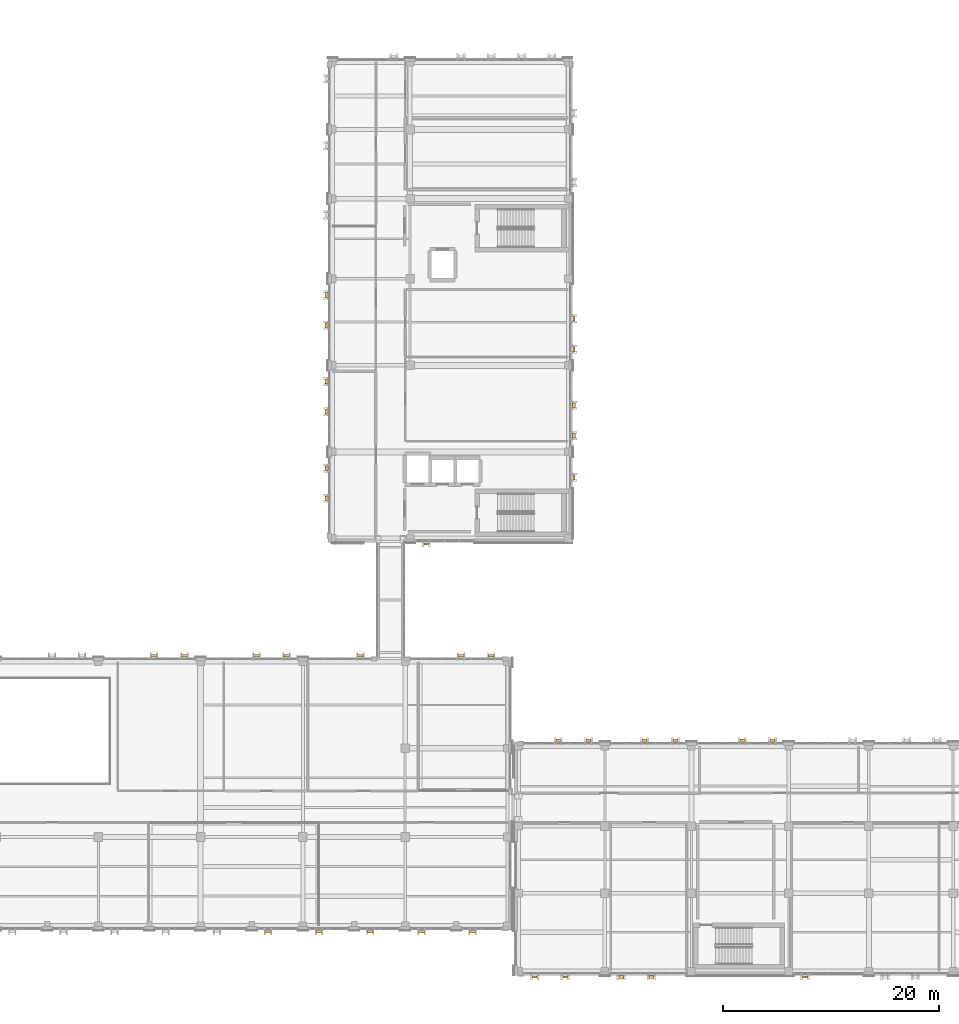
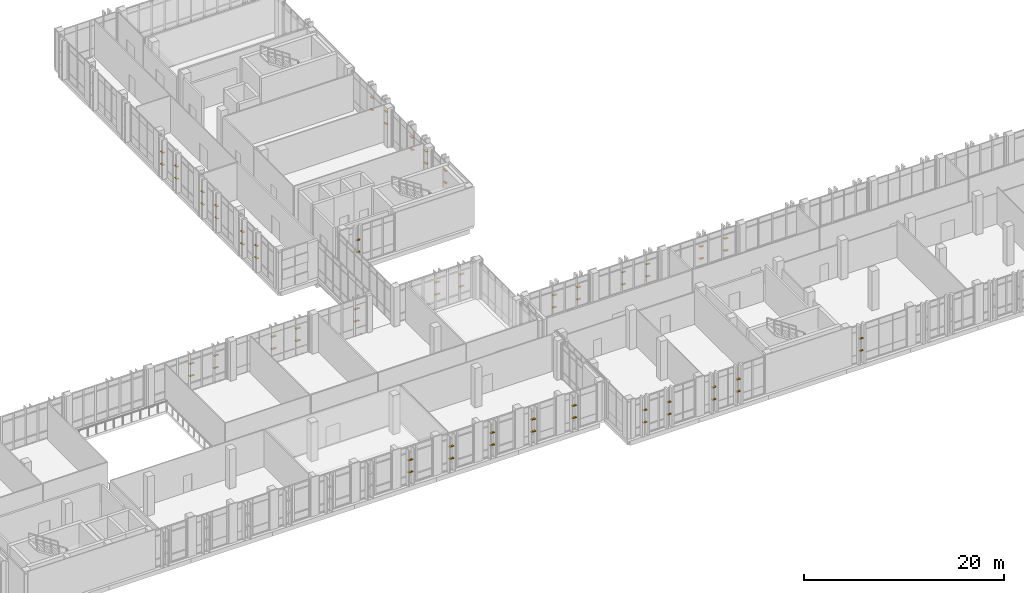
# One storey, part 186 of 189: 70 shading devices.
"""IFC4 building model written with IfcOpenShell, lengths in metres."""

from ifc_helpers import new_model, si_unit, direction, frame, origin, origin_2d, place, context, subcontext, project, spatial, rectangle, extrude, material, type_object, element, save


model = new_model("IFC4")

# Units and contexts
model_context = context("Model", 3, precision=1e-05, world=origin(), true_north=direction((0.0, 1.0)))
body_context = subcontext(model_context, "Body", "Model", "MODEL_VIEW")
ifc_project = project(units=[si_unit("LENGTHUNIT", "METRE"), si_unit("AREAUNIT", "SQUARE_METRE"), si_unit("VOLUMEUNIT", "CUBIC_METRE"), si_unit("PLANEANGLEUNIT", "RADIAN"), si_unit("MASSUNIT", "GRAM", prefix="KILO")], contexts=[model_context])

# Site, building, storey
site_placement = place(None, origin())
site = spatial("IfcSite", under=ifc_project, at=site_placement, CompositionType="ELEMENT")
building_placement = place(site_placement, origin())
building = spatial("IfcBuilding", under=site, at=building_placement, Name="Qalavern Law Courts", CompositionType="ELEMENT")
storey_placement = place(building_placement, frame((0.0, 0.0, 5.39990234375)))
storey = spatial("IfcBuildingStorey", under=building, at=storey_placement, Name="L01", CompositionType="ELEMENT", Elevation=5.39990234375)

# Shading devices
ifc_material = material(Name="Anodised aluminium", Category="aluminium")
shading_device_type_1 = type_object("IfcShadingDeviceType", Name="ENV-LOUV-1", PredefinedType="JALOUSIE", material=ifc_material)
for number, where, z_axis, x_axis, name in (
    (1, (78.6640625, 5.052490234375, 1.548583984375), (0.0, 0.0, 1.0), (1.0, 0.0, 0.0), "Horizontal sun louvre V2-L01-0-1"),
    (2, (78.6640625, 5.052490234375, 3.036865234375), (0.0, 0.0, 1.0), (1.0, 0.0, 0.0), "Horizontal sun louvre V2-L01-0-2"),
    (3, (88.118896484375, 5.052490234375, 1.548583984375), (0.0, 0.0, 1.0), (1.0, 0.0, 0.0), "Horizontal sun louvre V2-L01-0-1"),
    (4, (88.118896484375, 5.052490234375, 3.036865234375), (0.0, 0.0, 1.0), (1.0, 0.0, 0.0), "Horizontal sun louvre V2-L01-0-2"),
    (5, (97.572998046875, 5.052490234375, 1.548583984375), (0.0, 0.0, 1.0), (1.0, 0.0, 0.0), "Horizontal sun louvre V2-L01-0-1"),
    (6, (97.572998046875, 5.052490234375, 3.036865234375), (0.0, 0.0, 1.0), (1.0, 0.0, 0.0), "Horizontal sun louvre V2-L01-0-2"),
    (7, (99.300048828125, 30.547607421875, 1.548583984375), (0.0, 0.0, 1.0), (-1.0, 0.0, 0.0), "Horizontal sun louvre V2-L01-0-1"),
    (8, (99.300048828125, 30.547607421875, 3.036865234375), (0.0, 0.0, 1.0), (-1.0, 0.0, 0.0), "Horizontal sun louvre V2-L01-0-2"),
    (9, (96.5, 30.547607421875, 1.548583984375), (0.0, 0.0, 1.0), (-1.0, 0.0, 0.0), "Horizontal sun louvre V2-L01-1-1"),
    (10, (96.5, 30.547607421875, 3.036865234375), (0.0, 0.0, 1.0), (-1.0, 0.0, 0.0), "Horizontal sun louvre V2-L01-1-2"),
    (11, (87.199951171875, 30.547607421875, 1.548583984375), (0.0, 0.0, 1.0), (-1.0, 0.0, 0.0), "Horizontal sun louvre V2-L01-0-1"),
    (12, (87.199951171875, 30.547607421875, 3.036865234375), (0.0, 0.0, 1.0), (-1.0, 0.0, 0.0), "Horizontal sun louvre V2-L01-0-2"),
    (13, (70.93701171875, 30.547607421875, 1.548583984375), (0.0, 0.0, 1.0), (-1.0, 0.0, 0.0), "Horizontal sun louvre V2-L01-0-1"),
    (14, (70.93701171875, 30.547607421875, 3.036865234375), (0.0, 0.0, 1.0), (-1.0, 0.0, 0.0), "Horizontal sun louvre V2-L01-0-2"),
    (15, (68.13720703125, 30.547607421875, 1.548583984375), (0.0, 0.0, 1.0), (-1.0, 0.0, 0.0), "Horizontal sun louvre V2-L01-1-1"),
    (16, (68.13720703125, 30.547607421875, 3.036865234375), (0.0, 0.0, 1.0), (-1.0, 0.0, 0.0), "Horizontal sun louvre V2-L01-1-2"),
):
    element("IfcShadingDevice", number, at=place(storey_placement, frame(where, z_axis=z_axis, x_axis=x_axis)), inside=storey, type_object=shading_device_type_1, Name=name, PredefinedType="JALOUSIE", context=body_context, shape_type="SweptSolid", body=[
        extrude(rectangle(XDim=0.534912109375, YDim=0.2099609375, at=origin_2d()), origin(), (0.0, 0.0, 1.0), 0.06005859375),
    ])
for number, where, z_axis, x_axis, name in (
    (17, (93.300048828125, 40.87255859375, 1.548583984375), (0.0, 0.0, 1.0), (1.0, 0.0, 0.0), "Horizontal sun louvre V4-L01-0-1"),
    (18, (93.300048828125, 40.87255859375, 3.036865234375), (0.0, 0.0, 1.0), (1.0, 0.0, 0.0), "Horizontal sun louvre V4-L01-0-2"),
    (19, (106.947509765625, 47.050048828125, 1.548583984375), (0.0, 0.0, 1.0), (0.0, 1.0, 0.0), "Horizontal sun louvre V4-L01-0-1"),
    (20, (106.947509765625, 47.050048828125, 3.036865234375), (0.0, 0.0, 1.0), (0.0, 1.0, 0.0), "Horizontal sun louvre V4-L01-0-2"),
    (21, (106.947509765625, 58.89990234375, 1.548583984375), (0.0, 0.0, 1.0), (0.0, 1.0, 0.0), "Horizontal sun louvre V4-L01-0-1"),
    (22, (106.947509765625, 58.89990234375, 3.036865234375), (0.0, 0.0, 1.0), (0.0, 1.0, 0.0), "Horizontal sun louvre V4-L01-0-2"),
    (23, (106.947509765625, 61.699951171875, 1.548583984375), (0.0, 0.0, 1.0), (0.0, 1.0, 0.0), "Horizontal sun louvre V4-L01-1-1"),
    (24, (106.947509765625, 61.699951171875, 3.036865234375), (0.0, 0.0, 1.0), (0.0, 1.0, 0.0), "Horizontal sun louvre V4-L01-1-2"),
    (25, (84.052490234375, 55.89990234375, 1.548583984375), (0.0, 0.0, 1.0), (0.0, -1.0, 0.0), "Horizontal sun louvre V4-L01-0-1"),
    (26, (84.052490234375, 55.89990234375, 3.036865234375), (0.0, 0.0, 1.0), (0.0, -1.0, 0.0), "Horizontal sun louvre V4-L01-0-2"),
    (27, (84.052490234375, 53.10009765625, 1.548583984375), (0.0, 0.0, 1.0), (0.0, -1.0, 0.0), "Horizontal sun louvre V4-L01-1-1"),
    (28, (84.052490234375, 53.10009765625, 3.036865234375), (0.0, 0.0, 1.0), (0.0, -1.0, 0.0), "Horizontal sun louvre V4-L01-1-2"),
    (29, (103.320068359375, 0.8525390625, 1.548583984375), (0.0, 0.0, 1.0), (1.0, 0.0, 0.0), "Horizontal sun louvre V6-L01-0-1"),
    (30, (103.320068359375, 0.8525390625, 3.036865234375), (0.0, 0.0, 1.0), (1.0, 0.0, 0.0), "Horizontal sun louvre V6-L01-0-2"),
    (31, (106.1201171875, 0.8525390625, 1.548583984375), (0.0, 0.0, 1.0), (1.0, 0.0, 0.0), "Horizontal sun louvre V6-L01-1-1"),
    (32, (106.1201171875, 0.8525390625, 3.036865234375), (0.0, 0.0, 1.0), (1.0, 0.0, 0.0), "Horizontal sun louvre V6-L01-1-2"),
    (33, (128.300048828125, 0.8525390625, 1.548583984375), (0.0, 0.0, 1.0), (1.0, 0.0, 0.0), "Horizontal sun louvre V6-L01-0-1"),
    (34, (128.300048828125, 0.8525390625, 3.036865234375), (0.0, 0.0, 1.0), (1.0, 0.0, 0.0), "Horizontal sun louvre V6-L01-0-2"),
    (35, (116.300048828125, 22.74755859375, 1.548583984375), (0.0, 0.0, 1.0), (-1.0, 0.0, 0.0), "Horizontal sun louvre V6-L01-0-1"),
    (36, (116.300048828125, 22.74755859375, 3.036865234375), (0.0, 0.0, 1.0), (-1.0, 0.0, 0.0), "Horizontal sun louvre V6-L01-0-2"),
    (37, (113.5, 22.74755859375, 1.548583984375), (0.0, 0.0, 1.0), (-1.0, 0.0, 0.0), "Horizontal sun louvre V6-L01-1-1"),
    (38, (113.5, 22.74755859375, 3.036865234375), (0.0, 0.0, 1.0), (-1.0, 0.0, 0.0), "Horizontal sun louvre V6-L01-1-2"),
):
    element("IfcShadingDevice", number, at=place(storey_placement, frame(where, z_axis=z_axis, x_axis=x_axis)), inside=storey, type_object=shading_device_type_1, Name=name, PredefinedType="JALOUSIE", context=body_context, shape_type="SweptSolid", body=[
        extrude(rectangle(XDim=0.419921875, YDim=0.2099609375, at=origin_2d()), origin(), (0.0, 0.0, 1.0), 0.06005859375),
    ])
shading_device_type_2 = type_object("IfcShadingDeviceType", Name="ENV-LOUV-2", PredefinedType="JALOUSIE", material=ifc_material)
for number, where, z_axis, x_axis, name in (
    (39, (83.391357421875, 5.052490234375, 1.548583984375), (0.0, 0.0, 1.0), (1.0, 0.0, 0.0), "Horizontal sun louvre V2-L01-0-1"),
    (40, (83.391357421875, 5.052490234375, 3.036865234375), (0.0, 0.0, 1.0), (1.0, 0.0, 0.0), "Horizontal sun louvre V2-L01-0-2"),
    (41, (92.845703125, 5.052490234375, 1.548583984375), (0.0, 0.0, 1.0), (1.0, 0.0, 0.0), "Horizontal sun louvre V2-L01-0-1"),
    (42, (92.845703125, 5.052490234375, 3.036865234375), (0.0, 0.0, 1.0), (1.0, 0.0, 0.0), "Horizontal sun louvre V2-L01-0-2"),
    (43, (80.391357421875, 30.547607421875, 1.548583984375), (0.0, 0.0, 1.0), (-1.0, 0.0, 0.0), "Horizontal sun louvre V2-L01-0-1"),
    (44, (80.391357421875, 30.547607421875, 3.036865234375), (0.0, 0.0, 1.0), (-1.0, 0.0, 0.0), "Horizontal sun louvre V2-L01-0-2"),
    (45, (77.59130859375, 30.547607421875, 1.548583984375), (0.0, 0.0, 1.0), (-1.0, 0.0, 0.0), "Horizontal sun louvre V2-L01-1-1"),
    (46, (77.59130859375, 30.547607421875, 3.036865234375), (0.0, 0.0, 1.0), (-1.0, 0.0, 0.0), "Horizontal sun louvre V2-L01-1-2"),
):
    element("IfcShadingDevice", number, at=place(storey_placement, frame(where, z_axis=z_axis, x_axis=x_axis)), inside=storey, type_object=shading_device_type_2, Name=name, PredefinedType="JALOUSIE", context=body_context, shape_type="SweptSolid", body=[
        extrude(rectangle(XDim=0.534912109375, YDim=0.25, at=origin_2d()), origin(), (0.0, 0.0, 1.0), 0.06005859375),
    ])
for number, where, z_axis, x_axis, name in (
    (47, (106.947509765625, 50.89990234375, 1.548583984375), (0.0, 0.0, 1.0), (0.0, 1.0, 0.0), "Horizontal sun louvre V4-L01-0-1"),
    (48, (106.947509765625, 50.89990234375, 3.036865234375), (0.0, 0.0, 1.0), (0.0, 1.0, 0.0), "Horizontal sun louvre V4-L01-0-2"),
    (49, (106.947509765625, 53.699951171875, 1.548583984375), (0.0, 0.0, 1.0), (0.0, 1.0, 0.0), "Horizontal sun louvre V4-L01-1-1"),
    (50, (106.947509765625, 53.699951171875, 3.036865234375), (0.0, 0.0, 1.0), (0.0, 1.0, 0.0), "Horizontal sun louvre V4-L01-1-2"),
    (51, (84.052490234375, 63.89990234375, 1.548583984375), (0.0, 0.0, 1.0), (0.0, -1.0, 0.0), "Horizontal sun louvre V4-L01-0-1"),
    (52, (84.052490234375, 63.89990234375, 3.036865234375), (0.0, 0.0, 1.0), (0.0, -1.0, 0.0), "Horizontal sun louvre V4-L01-0-2"),
    (53, (84.052490234375, 61.10009765625, 1.548583984375), (0.0, 0.0, 1.0), (0.0, -1.0, 0.0), "Horizontal sun louvre V4-L01-1-1"),
    (54, (84.052490234375, 61.10009765625, 3.036865234375), (0.0, 0.0, 1.0), (0.0, -1.0, 0.0), "Horizontal sun louvre V4-L01-1-2"),
    (55, (84.052490234375, 47.89990234375, 1.548583984375), (0.0, 0.0, 1.0), (0.0, -1.0, 0.0), "Horizontal sun louvre V4-L01-0-1"),
    (56, (84.052490234375, 47.89990234375, 3.036865234375), (0.0, 0.0, 1.0), (0.0, -1.0, 0.0), "Horizontal sun louvre V4-L01-0-2"),
    (57, (84.052490234375, 45.10009765625, 1.548583984375), (0.0, 0.0, 1.0), (0.0, -1.0, 0.0), "Horizontal sun louvre V4-L01-1-1"),
    (58, (84.052490234375, 45.10009765625, 3.036865234375), (0.0, 0.0, 1.0), (0.0, -1.0, 0.0), "Horizontal sun louvre V4-L01-1-2"),
    (59, (111.300048828125, 0.8525390625, 1.548583984375), (0.0, 0.0, 1.0), (1.0, 0.0, 0.0), "Horizontal sun louvre V6-L01-0-1"),
    (60, (111.300048828125, 0.8525390625, 3.036865234375), (0.0, 0.0, 1.0), (1.0, 0.0, 0.0), "Horizontal sun louvre V6-L01-0-2"),
    (61, (114.10009765625, 0.8525390625, 1.548583984375), (0.0, 0.0, 1.0), (1.0, 0.0, 0.0), "Horizontal sun louvre V6-L01-1-1"),
    (62, (114.10009765625, 0.8525390625, 3.036865234375), (0.0, 0.0, 1.0), (1.0, 0.0, 0.0), "Horizontal sun louvre V6-L01-1-2"),
    (63, (125.300048828125, 22.74755859375, 1.548583984375), (0.0, 0.0, 1.0), (-1.0, 0.0, 0.0), "Horizontal sun louvre V6-L01-0-1"),
    (64, (125.300048828125, 22.74755859375, 3.036865234375), (0.0, 0.0, 1.0), (-1.0, 0.0, 0.0), "Horizontal sun louvre V6-L01-0-2"),
    (65, (122.5, 22.74755859375, 1.548583984375), (0.0, 0.0, 1.0), (-1.0, 0.0, 0.0), "Horizontal sun louvre V6-L01-1-1"),
    (66, (122.5, 22.74755859375, 3.036865234375), (0.0, 0.0, 1.0), (-1.0, 0.0, 0.0), "Horizontal sun louvre V6-L01-1-2"),
    (67, (108.300048828125, 22.74755859375, 1.548583984375), (0.0, 0.0, 1.0), (-1.0, 0.0, 0.0), "Horizontal sun louvre V6-L01-0-1"),
    (68, (108.300048828125, 22.74755859375, 3.036865234375), (0.0, 0.0, 1.0), (-1.0, 0.0, 0.0), "Horizontal sun louvre V6-L01-0-2"),
    (69, (105.5, 22.74755859375, 1.548583984375), (0.0, 0.0, 1.0), (-1.0, 0.0, 0.0), "Horizontal sun louvre V6-L01-1-1"),
    (70, (105.5, 22.74755859375, 3.036865234375), (0.0, 0.0, 1.0), (-1.0, 0.0, 0.0), "Horizontal sun louvre V6-L01-1-2"),
):
    element("IfcShadingDevice", number, at=place(storey_placement, frame(where, z_axis=z_axis, x_axis=x_axis)), inside=storey, type_object=shading_device_type_2, Name=name, PredefinedType="JALOUSIE", context=body_context, shape_type="SweptSolid", body=[
        extrude(rectangle(XDim=0.419921875, YDim=0.25, at=origin_2d()), origin(), (0.0, 0.0, 1.0), 0.06005859375),
    ])

save(model, "model.ifc")
